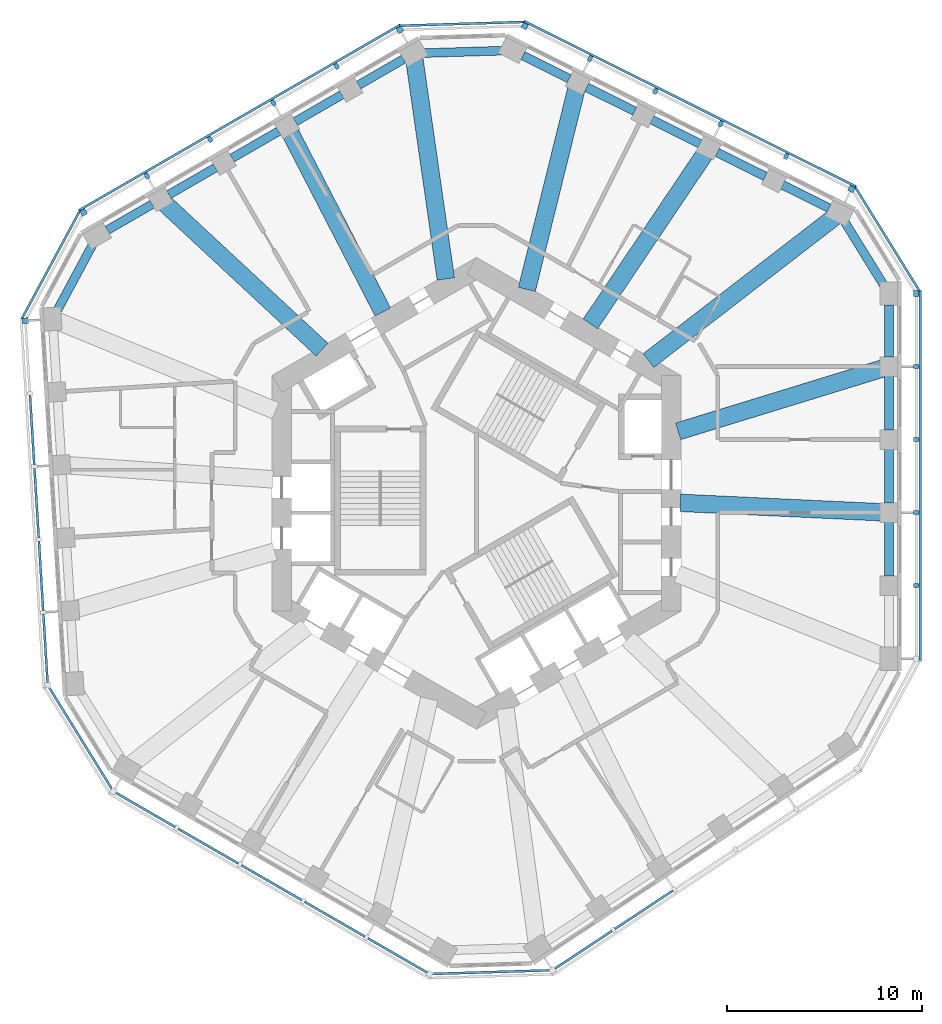
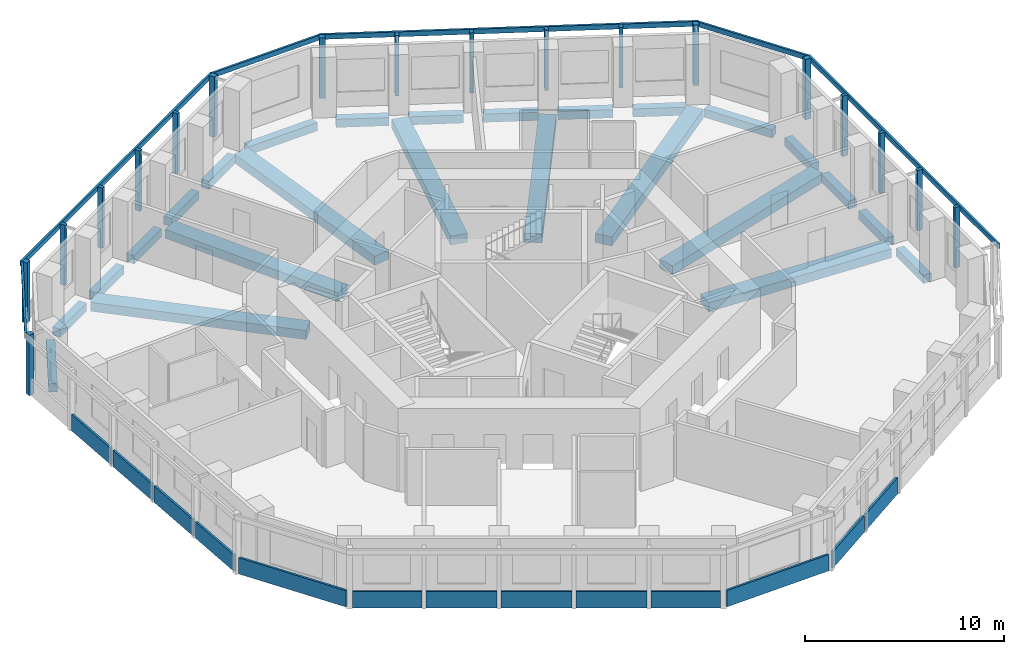
# One storey, part 2 of 10: 25 beams, 24 members, 13 plates, 11 elements without a shape of their own.
"""IFC4 building model written with IfcOpenShell, lengths in metres."""

from ifc_helpers import new_model, si_unit, direction, frame, origin, origin_2d, place, context, subcontext, project, spatial, rectangle, extrude, material, layer, layer_set, material_profile, profile_set, type_object, element, aggregate, save


model = new_model("IFC4")

# Units and contexts
model_context = context("Model", 3, precision=1e-05, world=origin(), true_north=direction((0.0, 1.0)))
body_context = subcontext(model_context, "Body", "Model", "MODEL_VIEW")
ifc_project = project(units=[si_unit("LENGTHUNIT", "METRE"), si_unit("AREAUNIT", "SQUARE_METRE"), si_unit("VOLUMEUNIT", "CUBIC_METRE"), si_unit("PLANEANGLEUNIT", "RADIAN"), si_unit("MASSUNIT", "GRAM", prefix="KILO")], contexts=[model_context])

# Site, building, storey
site_placement = place(None, origin())
site = spatial("IfcSite", under=ifc_project, at=site_placement, CompositionType="ELEMENT")
building_placement = place(site_placement, origin())
building = spatial("IfcBuilding", under=site, at=building_placement, Name="Vanh Sen Convention Tower", CompositionType="ELEMENT")
storey_placement = place(building_placement, frame((0.0, 0.0, 165.10009765625)))
storey = spatial("IfcBuildingStorey", under=building, at=storey_placement, Name="L40", CompositionType="ELEMENT", Elevation=165.10009765625)

# Curtain wall, member
ifc_material_1 = material(Name="Concrete C50/60", Category="concrete")
curtain_wall_type = type_object("IfcCurtainWallType", Name="Outer skin office zone", PredefinedType="NOTDEFINED", material=ifc_material_1)
curtain_wall_1_placement = place(storey_placement, origin())
curtain_wall_1 = element("IfcCurtainWall", 1, at=curtain_wall_1_placement, inside=storey, type_object=curtain_wall_type, Name="OUTER SKIN E L40", PredefinedType="NOTDEFINED")
ifc_material_profile_1 = material_profile(ifc_material_1, rectangle(XDim=0.300048828125, YDim=0.300048828125, at=origin_2d()), Name="Outer skin precast corner fin 300 x 300")
ifc_profile_set_1 = profile_set([ifc_material_profile_1], Name="Concrete C50/60")
member_type_1 = type_object("IfcMemberType", Name="Outer skin precast corner fin 300 x 300", PredefinedType="MULLION", material=ifc_profile_set_1)
member_1_placement = place(storey_placement, frame((22.60009765625, 10.26953125, 0.0), z_axis=(0.0, 0.0, 1.0), x_axis=(0.0, 1.0, 0.0)))
member_1 = element("IfcMember", 2, at=member_1_placement, type_object=member_type_1, Name="OUTER SKIN CORNER FIN 6 E L40", PredefinedType="MULLION", context=body_context, shape_type="SweptSolid", body=[
    extrude(rectangle(XDim=0.300048828125, YDim=0.300048828125, at=origin_2d()), origin(), (0.0, 0.0, 1.0), 3.699951171875),
])

# Curtain wall, members
curtain_wall_2_placement = place(storey_placement, origin())
curtain_wall_2 = element("IfcCurtainWall", 3, at=curtain_wall_2_placement, inside=storey, type_object=curtain_wall_type, Name="OUTER SKIN NE L40", PredefinedType="NOTDEFINED")
member_2_placement = place(storey_placement, frame((19.274658203125, 15.643310546875, 0.0), z_axis=(0.0, 0.0, 1.0), x_axis=(-0.894934361602, 0.44619781311, 0.0)))
member_2 = element("IfcMember", 4, at=member_2_placement, type_object=member_type_1, Name="OUTER SKIN CORNER FIN 1 NE L40", PredefinedType="MULLION", context=body_context, shape_type="SweptSolid", body=[
    extrude(rectangle(XDim=0.300048828125, YDim=0.300048828125, at=origin_2d()), origin(), (0.0, 0.0, 1.0), 3.699951171875),
])
member_3_placement = place(storey_placement, frame((2.476318359375, 24.0185546875, 0.0), z_axis=(0.0, 0.0, 1.0), x_axis=(-0.894934361602, 0.44619781311, 0.0)))
member_3 = element("IfcMember", 5, at=member_3_placement, type_object=member_type_1, Name="OUTER SKIN CORNER FIN 6 NE L40", PredefinedType="MULLION", context=body_context, shape_type="SweptSolid", body=[
    extrude(rectangle(XDim=0.300048828125, YDim=0.300048828125, at=origin_2d()), origin(), (0.0, 0.0, 1.0), 3.699951171875),
])

curtain_wall_3_placement = place(storey_placement, origin())
curtain_wall_3 = element("IfcCurtainWall", 6, at=curtain_wall_3_placement, inside=storey, type_object=curtain_wall_type, Name="OUTER SKIN NW L40", PredefinedType="NOTDEFINED")
member_4_placement = place(storey_placement, frame((-3.93798828125, 23.822509765625, 0.0), z_axis=(0.0, 0.0, 1.0), x_axis=(-0.866025403784, -0.5, 0.0)))
member_4 = element("IfcMember", 7, at=member_4_placement, type_object=member_type_1, Name="OUTER SKIN CORNER FIN 1 NW L40", PredefinedType="MULLION", context=body_context, shape_type="SweptSolid", body=[
    extrude(rectangle(XDim=0.300048828125, YDim=0.300048828125, at=origin_2d()), origin(), (0.0, 0.0, 1.0), 3.699951171875),
])
member_5_placement = place(storey_placement, frame((-20.193603515625, 14.4375, 0.0), z_axis=(0.0, 0.0, 1.0), x_axis=(-0.866025403784, -0.5, 0.0)))
member_5 = element("IfcMember", 8, at=member_5_placement, type_object=member_type_1, Name="OUTER SKIN CORNER FIN 6 NW L40", PredefinedType="MULLION", context=body_context, shape_type="SweptSolid", body=[
    extrude(rectangle(XDim=0.300048828125, YDim=0.300048828125, at=origin_2d()), origin(), (0.0, 0.0, 1.0), 3.699951171875),
])

# Curtain wall, member
curtain_wall_4_placement = place(storey_placement, origin())
curtain_wall_4 = element("IfcCurtainWall", 9, at=curtain_wall_4_placement, inside=storey, type_object=curtain_wall_type, Name="OUTER SKIN W L40", PredefinedType="NOTDEFINED")
member_6_placement = place(storey_placement, frame((-23.184814453125, 8.87060546875, 0.0), z_axis=(0.0, 0.0, 1.0), x_axis=(0.061048539535, -0.998134798422, 0.0)))
member_6 = element("IfcMember", 10, at=member_6_placement, type_object=member_type_1, Name="OUTER SKIN CORNER FIN 1 W L40", PredefinedType="MULLION", context=body_context, shape_type="SweptSolid", body=[
    extrude(rectangle(XDim=0.300048828125, YDim=0.300048828125, at=origin_2d()), origin(), (0.0, 0.0, 1.0), 3.699951171875),
])

# Member
ifc_material_profile_2 = material_profile(ifc_material_1, rectangle(XDim=0.199951171875, YDim=0.300048828125, at=origin_2d()), Name="Outer skin precast fin 200 x 300")
ifc_profile_set_2 = profile_set([ifc_material_profile_2], Name="Concrete C50/60")
member_type_2 = type_object("IfcMemberType", Name="Outer skin precast fin 200 x 300", PredefinedType="MULLION", material=ifc_profile_set_2)
member_7_placement = place(storey_placement, frame((22.60009765625, -4.746826171875, 0.0), z_axis=(0.0, 0.0, 1.0), x_axis=(0.0, 1.0, 0.0)))
member_7 = element("IfcMember", 11, at=member_7_placement, type_object=member_type_2, Name="OUTER SKIN fin 2 E L40", PredefinedType="MULLION", context=body_context, shape_type="SweptSolid", body=[
    extrude(rectangle(XDim=0.199951171875, YDim=0.300048828125, at=origin_2d()), origin(), (0.0, 0.0, 1.0), 3.699951171875),
])

member_8_placement = place(storey_placement, frame((22.60009765625, -0.992919921875, 0.0), z_axis=(0.0, 0.0, 1.0), x_axis=(0.0, 1.0, 0.0)))
member_8 = element("IfcMember", 12, at=member_8_placement, type_object=member_type_2, Name="OUTER SKIN fin 3 E L40", PredefinedType="MULLION", context=body_context, shape_type="SweptSolid", body=[
    extrude(rectangle(XDim=0.199951171875, YDim=0.300048828125, at=origin_2d()), origin(), (0.0, 0.0, 1.0), 3.699951171875),
])

member_9_placement = place(storey_placement, frame((22.60009765625, 2.76123046875, 0.0), z_axis=(0.0, 0.0, 1.0), x_axis=(0.0, 1.0, 0.0)))
member_9 = element("IfcMember", 13, at=member_9_placement, type_object=member_type_2, Name="OUTER SKIN fin 4 E L40", PredefinedType="MULLION", context=body_context, shape_type="SweptSolid", body=[
    extrude(rectangle(XDim=0.199951171875, YDim=0.300048828125, at=origin_2d()), origin(), (0.0, 0.0, 1.0), 3.699951171875),
])

member_10_placement = place(storey_placement, frame((22.60009765625, 6.515380859375, 0.0), z_axis=(0.0, 0.0, 1.0), x_axis=(0.0, 1.0, 0.0)))
member_10 = element("IfcMember", 14, at=member_10_placement, type_object=member_type_2, Name="OUTER SKIN fin 5 E L40", PredefinedType="MULLION", context=body_context, shape_type="SweptSolid", body=[
    extrude(rectangle(XDim=0.199951171875, YDim=0.300048828125, at=origin_2d()), origin(), (0.0, 0.0, 1.0), 3.699951171875),
])

member_11_placement = place(storey_placement, frame((15.9150390625, 17.318359375, 0.0), z_axis=(0.0, 0.0, 1.0), x_axis=(-0.894934361602, 0.44619781311, 0.0)))
member_11 = element("IfcMember", 15, at=member_11_placement, type_object=member_type_2, Name="OUTER SKIN fin 2 NE L40", PredefinedType="MULLION", context=body_context, shape_type="SweptSolid", body=[
    extrude(rectangle(XDim=0.199951171875, YDim=0.300048828125, at=origin_2d()), origin(), (0.0, 0.0, 1.0), 3.699951171875),
])

member_12_placement = place(storey_placement, frame((12.555419921875, 18.993408203125, 0.0), z_axis=(0.0, 0.0, 1.0), x_axis=(-0.894934361602, 0.44619781311, 0.0)))
member_12 = element("IfcMember", 16, at=member_12_placement, type_object=member_type_2, Name="OUTER SKIN fin 3 NE L40", PredefinedType="MULLION", context=body_context, shape_type="SweptSolid", body=[
    extrude(rectangle(XDim=0.199951171875, YDim=0.300048828125, at=origin_2d()), origin(), (0.0, 0.0, 1.0), 3.699951171875),
])

member_13_placement = place(storey_placement, frame((9.195556640625, 20.66845703125, 0.0), z_axis=(0.0, 0.0, 1.0), x_axis=(-0.894934361602, 0.44619781311, 0.0)))
member_13 = element("IfcMember", 17, at=member_13_placement, type_object=member_type_2, Name="OUTER SKIN fin 4 NE L40", PredefinedType="MULLION", context=body_context, shape_type="SweptSolid", body=[
    extrude(rectangle(XDim=0.199951171875, YDim=0.300048828125, at=origin_2d()), origin(), (0.0, 0.0, 1.0), 3.699951171875),
])

member_14_placement = place(storey_placement, frame((5.8359375, 22.343505859375, 0.0), z_axis=(0.0, 0.0, 1.0), x_axis=(-0.894934361602, 0.44619781311, 0.0)))
member_14 = element("IfcMember", 18, at=member_14_placement, type_object=member_type_2, Name="OUTER SKIN fin 5 NE L40", PredefinedType="MULLION", context=body_context, shape_type="SweptSolid", body=[
    extrude(rectangle(XDim=0.199951171875, YDim=0.300048828125, at=origin_2d()), origin(), (0.0, 0.0, 1.0), 3.699951171875),
])

member_15_placement = place(storey_placement, frame((-7.189208984375, 21.945556640625, 0.0), z_axis=(0.0, 0.0, 1.0), x_axis=(-0.866025403784, -0.5, 0.0)))
member_15 = element("IfcMember", 19, at=member_15_placement, type_object=member_type_2, Name="OUTER SKIN fin 2 NW L40", PredefinedType="MULLION", context=body_context, shape_type="SweptSolid", body=[
    extrude(rectangle(XDim=0.199951171875, YDim=0.300048828125, at=origin_2d()), origin(), (0.0, 0.0, 1.0), 3.699951171875),
])

member_16_placement = place(storey_placement, frame((-10.440185546875, 20.068603515625, 0.0), z_axis=(0.0, 0.0, 1.0), x_axis=(-0.866025403784, -0.5, 0.0)))
member_16 = element("IfcMember", 20, at=member_16_placement, type_object=member_type_2, Name="OUTER SKIN fin 3 NW L40", PredefinedType="MULLION", context=body_context, shape_type="SweptSolid", body=[
    extrude(rectangle(XDim=0.199951171875, YDim=0.300048828125, at=origin_2d()), origin(), (0.0, 0.0, 1.0), 3.699951171875),
])

member_17_placement = place(storey_placement, frame((-13.69140625, 18.19140625, 0.0), z_axis=(0.0, 0.0, 1.0), x_axis=(-0.866025403784, -0.5, 0.0)))
member_17 = element("IfcMember", 21, at=member_17_placement, type_object=member_type_2, Name="OUTER SKIN fin 4 NW L40", PredefinedType="MULLION", context=body_context, shape_type="SweptSolid", body=[
    extrude(rectangle(XDim=0.199951171875, YDim=0.300048828125, at=origin_2d()), origin(), (0.0, 0.0, 1.0), 3.699951171875),
])

member_18_placement = place(storey_placement, frame((-16.9423828125, 16.314453125, 0.0), z_axis=(0.0, 0.0, 1.0), x_axis=(-0.866025403784, -0.5, 0.0)))
member_18 = element("IfcMember", 22, at=member_18_placement, type_object=member_type_2, Name="OUTER SKIN fin 5 NW L40", PredefinedType="MULLION", context=body_context, shape_type="SweptSolid", body=[
    extrude(rectangle(XDim=0.199951171875, YDim=0.300048828125, at=origin_2d()), origin(), (0.0, 0.0, 1.0), 3.699951171875),
])

ifc_material_profile_3 = material_profile(ifc_material_1, rectangle(XDim=0.1201171875, YDim=0.300048828125, at=origin_2d()), Name="Outer skin precast spandrel band 300 x 120")
ifc_profile_set_3 = profile_set([ifc_material_profile_3], Name="Concrete C50/60")
member_type_3 = type_object("IfcMemberType", Name="Outer skin precast spandrel band 300 x 120", PredefinedType="USERDEFINED", material=ifc_profile_set_3)
member_19_placement = place(storey_placement, frame((22.81005859375, -8.65087890625, 3.5498046875), z_axis=(0.0, 1.0, 0.0), x_axis=(-1.0, 0.0, 0.0)))
member_19 = element("IfcMember", 23, at=member_19_placement, type_object=member_type_3, Name="OUTER SKIN spandrel band E L40", ObjectType="TRANSOM", PredefinedType="USERDEFINED", context=body_context, shape_type="SweptSolid", body=[
    extrude(rectangle(XDim=0.1201171875, YDim=0.300048828125, at=origin_2d()), origin(), (0.0, 0.0, 1.0), 19.0703125),
])

aggregate(curtain_wall_1, [member_7, member_8, member_9, member_10, member_1, member_19])

# Curtain wall, member
curtain_wall_5_placement = place(storey_placement, origin())
curtain_wall_5 = element("IfcCurtainWall", 24, at=curtain_wall_5_placement, inside=storey, type_object=curtain_wall_type, Name="OUTER SKIN CH1 L40", PredefinedType="NOTDEFINED")
member_20_placement = place(storey_placement, frame((22.778564453125, 10.3798828125, 3.5498046875), z_axis=(-0.526173726926, 0.850377098171, 0.0), x_axis=(-0.850377098171, -0.526173726926, 0.0)))
member_20 = element("IfcMember", 25, at=member_20_placement, type_object=member_type_3, Name="OUTER SKIN spandrel band CH1 L40", ObjectType="TRANSOM", PredefinedType="USERDEFINED", context=body_context, shape_type="SweptSolid", body=[
    extrude(rectangle(XDim=0.1201171875, YDim=0.300048828125, at=origin_2d()), origin(), (0.0, 0.0, 1.0), 6.319580078125),
])
aggregate(curtain_wall_5, [member_20])

# Member
member_21_placement = place(storey_placement, frame((19.502685546875, 15.764404296875, 3.5498046875), z_axis=(-0.894941234474, 0.446184027996, 0.0), x_axis=(-0.446184027996, -0.894941234474, 0.0)))
member_21 = element("IfcMember", 26, at=member_21_placement, type_object=member_type_3, Name="OUTER SKIN spandrel band NE L40", ObjectType="TRANSOM", PredefinedType="USERDEFINED", context=body_context, shape_type="SweptSolid", body=[
    extrude(rectangle(XDim=0.1201171875, YDim=0.300048828125, at=origin_2d()), origin(), (0.0, 0.0, 1.0), 19.07080078125),
])

aggregate(curtain_wall_2, [member_2, member_11, member_12, member_13, member_14, member_3, member_21])

# Curtain wall, member
curtain_wall_6_placement = place(storey_placement, origin())
curtain_wall_6 = element("IfcCurtainWall", 27, at=curtain_wall_6_placement, inside=storey, type_object=curtain_wall_type, Name="OUTER SKIN CH2 L40", PredefinedType="NOTDEFINED")
member_22_placement = place(storey_placement, frame((2.4697265625, 24.228515625, 3.5498046875), z_axis=(-0.999533221695, -0.030550592913, 0.0), x_axis=(0.030550592913, -0.999533221695, 0.0)))
member_22 = element("IfcMember", 28, at=member_22_placement, type_object=member_type_3, Name="OUTER SKIN spandrel band CH2 L40", ObjectType="TRANSOM", PredefinedType="USERDEFINED", context=body_context, shape_type="SweptSolid", body=[
    extrude(rectangle(XDim=0.1201171875, YDim=0.300048828125, at=origin_2d()), origin(), (0.0, 0.0, 1.0), 6.4169921875),
])
aggregate(curtain_wall_6, [member_22])

# Member
member_23_placement = place(storey_placement, frame((-3.9130859375, 24.07958984375, 3.5498046875), z_axis=(-0.866023136587, -0.500003926881, 0.0), x_axis=(0.500003926881, -0.866023136587, 0.0)))
member_23 = element("IfcMember", 29, at=member_23_placement, type_object=member_type_3, Name="OUTER SKIN spandrel band NW L40", ObjectType="TRANSOM", PredefinedType="USERDEFINED", context=body_context, shape_type="SweptSolid", body=[
    extrude(rectangle(XDim=0.1201171875, YDim=0.300048828125, at=origin_2d()), origin(), (0.0, 0.0, 1.0), 19.070556640625),
])

aggregate(curtain_wall_3, [member_4, member_15, member_16, member_17, member_18, member_5, member_23])

# Curtain wall, member
curtain_wall_7_placement = place(storey_placement, origin())
curtain_wall_7 = element("IfcCurtainWall", 30, at=curtain_wall_7_placement, inside=storey, type_object=curtain_wall_type, Name="OUTER SKIN CH3 L40", PredefinedType="NOTDEFINED")
member_24_placement = place(storey_placement, frame((-20.378662109375, 14.536865234375, 3.5498046875), z_axis=(-0.47333707755, -0.880881383057, 0.0), x_axis=(0.880881383057, -0.47333707755, 0.0)))
member_24 = element("IfcMember", 31, at=member_24_placement, type_object=member_type_3, Name="OUTER SKIN spandrel band CH3 L40", ObjectType="TRANSOM", PredefinedType="USERDEFINED", context=body_context, shape_type="SweptSolid", body=[
    extrude(rectangle(XDim=0.1201171875, YDim=0.300048828125, at=origin_2d()), origin(), (0.0, 0.0, 1.0), 6.3193359375),
])
aggregate(curtain_wall_7, [member_24])

# Beams
ifc_material_2 = material(Name="Concrete C50/60", Category="concrete")
ifc_material_profile_4 = material_profile(ifc_material_2, rectangle(XDim=0.89990234375, YDim=0.550048828125, at=origin_2d()), Name="RC 900X550")
ifc_profile_set_4 = profile_set([ifc_material_profile_4], Name="Concrete C50/60")
beam_type_1 = type_object("IfcBeamType", Name="Radial floor beam 900 x 550", PredefinedType="BEAM", material=ifc_profile_set_4)
beam_1_placement = place(storey_placement, frame((20.77587890625, -0.972900390625, -0.55517578125), z_axis=(-0.998905318596, 0.046777820399, 0.0), x_axis=(-0.046777820399, -0.998905318596, 0.0)))
element("IfcBeam", 32, at=beam_1_placement, inside=storey, type_object=beam_type_1, Name="Radial beam 02 L40", PredefinedType="BEAM", context=body_context, shape_type="SweptSolid", body=[
    extrude(rectangle(XDim=0.89990234375, YDim=0.550048828125, at=origin_2d()), origin(), (0.0, 0.0, 1.0), 10.31298828125),
])
beam_2_placement = place(storey_placement, frame((20.9775390625, 6.447021484375, -0.55517578125), z_axis=(-0.955874982074, -0.29377375418, 0.0), x_axis=(0.29377375418, -0.955874982074, 0.0)))
element("IfcBeam", 33, at=beam_2_placement, inside=storey, type_object=beam_type_1, Name="Radial beam 03 L40", PredefinedType="BEAM", context=body_context, shape_type="SweptSolid", body=[
    extrude(rectangle(XDim=0.89990234375, YDim=0.550048828125, at=origin_2d()), origin(), (0.0, 0.0, 1.0), 11.1044921875),
])
beam_3_placement = place(storey_placement, frame((18.4306640625, 14.22119140625, -0.55517578125), z_axis=(-0.791711533114, -0.610895120568, 0.0), x_axis=(0.610895120568, -0.791711533114, 0.0)))
element("IfcBeam", 34, at=beam_3_placement, inside=storey, type_object=beam_type_1, Name="Radial beam 04 L40", PredefinedType="BEAM", context=body_context, shape_type="SweptSolid", body=[
    extrude(rectangle(XDim=0.89990234375, YDim=0.550048828125, at=origin_2d()), origin(), (0.0, 0.0, 1.0), 12.11669921875),
])
beam_4_placement = place(storey_placement, frame((11.712890625, 17.416748046875, -0.55517578125), z_axis=(-0.558049212229, -0.829807855308, 0.0), x_axis=(0.829807855308, -0.558049212229, 0.0)))
element("IfcBeam", 35, at=beam_4_placement, inside=storey, type_object=beam_type_1, Name="Radial beam 05 L40", PredefinedType="BEAM", context=body_context, shape_type="SweptSolid", body=[
    extrude(rectangle(XDim=0.89990234375, YDim=0.550048828125, at=origin_2d()), origin(), (0.0, 0.0, 1.0), 10.500244140625),
])
beam_5_placement = place(storey_placement, frame((5.1455078125, 20.824951171875, -0.55517578125), z_axis=(-0.239866381143, -0.970805912218, 0.0), x_axis=(0.970805912218, -0.239866381143, 0.0)))
element("IfcBeam", 36, at=beam_5_placement, inside=storey, type_object=beam_type_1, Name="Radial beam 06 L40", PredefinedType="BEAM", context=body_context, shape_type="SweptSolid", body=[
    extrude(rectangle(XDim=0.89990234375, YDim=0.550048828125, at=origin_2d()), origin(), (0.0, 0.0, 1.0), 10.656494140625),
])
beam_6_placement = place(storey_placement, frame((-3.195556640625, 22.31396484375, -0.55517578125), z_axis=(0.141765709165, -0.989900239269, 0.0), x_axis=(0.989900239269, 0.141765709165, 0.0)))
element("IfcBeam", 37, at=beam_6_placement, inside=storey, type_object=beam_type_1, Name="Radial beam 07 L40", PredefinedType="BEAM", context=body_context, shape_type="SweptSolid", body=[
    extrude(rectangle(XDim=0.89990234375, YDim=0.550048828125, at=origin_2d()), origin(), (0.0, 0.0, 1.0), 11.414306640625),
])
beam_7_placement = place(storey_placement, frame((-9.54541015625, 18.47900390625, -0.55517578125), z_axis=(0.458935346364, -0.888469666257, 0.0), x_axis=(0.888469666257, 0.458935346364, 0.0)))
element("IfcBeam", 38, at=beam_7_placement, inside=storey, type_object=beam_type_1, Name="Radial beam 08 L40", PredefinedType="BEAM", context=body_context, shape_type="SweptSolid", body=[
    extrude(rectangle(XDim=0.89990234375, YDim=0.550048828125, at=origin_2d()), origin(), (0.0, 0.0, 1.0), 10.313232421875),
])
beam_8_placement = place(storey_placement, frame((-16.072021484375, 14.943603515625, -0.55517578125), z_axis=(0.732340727094, -0.680938366843, 0.0), x_axis=(0.680938366843, 0.732340727094, 0.0)))
element("IfcBeam", 39, at=beam_8_placement, inside=storey, type_object=beam_type_1, Name="Radial beam 09 L40", PredefinedType="BEAM", context=body_context, shape_type="SweptSolid", body=[
    extrude(rectangle(XDim=0.89990234375, YDim=0.550048828125, at=origin_2d()), origin(), (0.0, 0.0, 1.0), 11.1044921875),
])
ifc_material_profile_5 = material_profile(ifc_material_2, rectangle(XDim=0.449951171875, YDim=0.5, at=origin_2d()), Name="RC 450X500")
ifc_profile_set_5 = profile_set([ifc_material_profile_5], Name="Concrete C50/60")
beam_type_2 = type_object("IfcBeamType", Name="Spandrel beam 450 x 500", PredefinedType="SPANDREL", material=ifc_profile_set_5)
for number, where, z_axis, x_axis, name in (
    (40, (21.199951171875, -4.251953125, -0.530029296875), (0.0, 1.0, 0.0), (-1.0, 0.0, 0.0), "Spandrel beam 02 L40"),
    (41, (21.199951171875, -0.497802734375, -0.530029296875), (0.0, 1.0, 0.0), (-1.0, 0.0, 0.0), "Spandrel beam 03 L40"),
    (42, (21.199951171875, 3.25634765625, -0.530029296875), (0.0, 1.0, 0.0), (-1.0, 0.0, 0.0), "Spandrel beam 04 L40"),
):
    element("IfcBeam", number, at=place(storey_placement, frame(where, z_axis=z_axis, x_axis=x_axis)), inside=storey, type_object=beam_type_2, Name=name, PredefinedType="SPANDREL", context=body_context, shape_type="SweptSolid", body=[
        extrude(rectangle(XDim=0.449951171875, YDim=0.5, at=origin_2d()), origin(), (0.0, 0.0, 1.0), 2.76416015625),
    ])
beam_9_placement = place(storey_placement, frame((21.199951171875, 7.010498046875, -0.530029296875), z_axis=(0.0, 1.0, 0.0), x_axis=(-1.0, 0.0, 0.0)))
element("IfcBeam", 43, at=beam_9_placement, inside=storey, type_object=beam_type_2, Name="Spandrel beam 05 L40", PredefinedType="SPANDREL", context=body_context, shape_type="SweptSolid", body=[
    extrude(rectangle(XDim=0.449951171875, YDim=0.5, at=origin_2d()), origin(), (0.0, 0.0, 1.0), 2.6640625),
])
beam_10_placement = place(storey_placement, frame((20.944091796875, 10.683349609375, -0.530029296875), z_axis=(-0.526220063476, 0.850348425526, 0.0), x_axis=(-0.850348425526, -0.526220063476, 0.0)))
element("IfcBeam", 44, at=beam_10_placement, inside=storey, type_object=beam_type_2, Name="Spandrel beam 06 L40", PredefinedType="SPANDREL", context=body_context, shape_type="SweptSolid", body=[
    extrude(rectangle(XDim=0.449951171875, YDim=0.5, at=origin_2d()), origin(), (0.0, 0.0, 1.0), 3.873046875),
])
beam_11_placement = place(storey_placement, frame((18.117431640625, 14.656005859375, -0.530029296875), z_axis=(-0.894958126718, 0.446150144482, 0.0), x_axis=(-0.446150144482, -0.894958126718, 0.0)))
element("IfcBeam", 45, at=beam_11_placement, inside=storey, type_object=beam_type_2, Name="Spandrel beam 07 L40", PredefinedType="SPANDREL", context=body_context, shape_type="SweptSolid", body=[
    extrude(rectangle(XDim=0.449951171875, YDim=0.5, at=origin_2d()), origin(), (0.0, 0.0, 1.0), 2.663818359375),
])
beam_12_placement = place(storey_placement, frame((14.847412109375, 16.286376953125, -0.530029296875), z_axis=(-0.894974121341, 0.446118058511, 0.0), x_axis=(-0.446118058511, -0.894974121341, 0.0)))
element("IfcBeam", 46, at=beam_12_placement, inside=storey, type_object=beam_type_2, Name="Spandrel beam 08 L40", PredefinedType="SPANDREL", context=body_context, shape_type="SweptSolid", body=[
    extrude(rectangle(XDim=0.449951171875, YDim=0.5, at=origin_2d()), origin(), (0.0, 0.0, 1.0), 2.76416015625),
])
beam_13_placement = place(storey_placement, frame((11.487548828125, 17.96142578125, -0.530029296875), z_axis=(-0.894956541152, 0.446153325045, 0.0), x_axis=(-0.446153325045, -0.894956541152, 0.0)))
element("IfcBeam", 47, at=beam_13_placement, inside=storey, type_object=beam_type_2, Name="Spandrel beam 09 L40", PredefinedType="SPANDREL", context=body_context, shape_type="SweptSolid", body=[
    extrude(rectangle(XDim=0.449951171875, YDim=0.5, at=origin_2d()), origin(), (0.0, 0.0, 1.0), 2.763916015625),
])
beam_14_placement = place(storey_placement, frame((8.1279296875, 19.636474609375, -0.530029296875), z_axis=(-0.89492127077, 0.446224068292, 0.0), x_axis=(-0.446224068292, -0.89492127077, 0.0)))
element("IfcBeam", 48, at=beam_14_placement, inside=storey, type_object=beam_type_2, Name="Spandrel beam 10 L40", PredefinedType="SPANDREL", context=body_context, shape_type="SweptSolid", body=[
    extrude(rectangle(XDim=0.449951171875, YDim=0.5, at=origin_2d()), origin(), (0.0, 0.0, 1.0), 2.76416015625),
])
beam_15_placement = place(storey_placement, frame((4.768310546875, 21.3115234375, -0.530029296875), z_axis=(-0.894939776695, 0.446186951948, 0.0), x_axis=(-0.446186951948, -0.894939776695, 0.0)))
element("IfcBeam", 49, at=beam_15_placement, inside=storey, type_object=beam_type_2, Name="Spandrel beam 11 L40", PredefinedType="SPANDREL", context=body_context, shape_type="SweptSolid", body=[
    extrude(rectangle(XDim=0.449951171875, YDim=0.5, at=origin_2d()), origin(), (0.0, 0.0, 1.0), 2.6640625),
])
beam_16_placement = place(storey_placement, frame((1.32470703125, 22.74951171875, -0.530029296875), z_axis=(-0.999533715833, -0.030534421783, 0.0), x_axis=(0.030534421783, -0.999533715833, 0.0)))
element("IfcBeam", 50, at=beam_16_placement, inside=storey, type_object=beam_type_2, Name="Spandrel beam 12 L40", PredefinedType="SPANDREL", context=body_context, shape_type="SweptSolid", body=[
    extrude(rectangle(XDim=0.449951171875, YDim=0.5, at=origin_2d()), origin(), (0.0, 0.0, 1.0), 4.037841796875),
])
beam_17_placement = place(storey_placement, frame((-3.753173828125, 22.312744140625, -0.530029296875), z_axis=(-0.866023818221, -0.500002746266, 0.0), x_axis=(0.500002746266, -0.866023818221, 0.0)))
element("IfcBeam", 51, at=beam_17_placement, inside=storey, type_object=beam_type_2, Name="Spandrel beam 13 L40", PredefinedType="SPANDREL", context=body_context, shape_type="SweptSolid", body=[
    extrude(rectangle(XDim=0.449951171875, YDim=0.5, at=origin_2d()), origin(), (0.0, 0.0, 1.0), 2.6640625),
])
for number, where, z_axis, x_axis, name in (
    (52, (-6.917724609375, 20.485595703125, -0.530029296875), (-0.866022320763, -0.500005339912, 0.0), (0.500005339912, -0.866022320763, 0.0), "Spandrel beam 14 L40"),
    (53, (-10.1689453125, 18.608642578125, -0.530029296875), (-0.866022320763, -0.500005339912, 0.0), (0.500005339912, -0.866022320763, 0.0), "Spandrel beam 15 L40"),
):
    element("IfcBeam", number, at=place(storey_placement, frame(where, z_axis=z_axis, x_axis=x_axis)), inside=storey, type_object=beam_type_2, Name=name, PredefinedType="SPANDREL", context=body_context, shape_type="SweptSolid", body=[
        extrude(rectangle(XDim=0.449951171875, YDim=0.5, at=origin_2d()), origin(), (0.0, 0.0, 1.0), 2.76416015625),
    ])
beam_18_placement = place(storey_placement, frame((-13.420166015625, 16.731689453125, -0.530029296875), z_axis=(-0.866000236617, -0.500043588279, 0.0), x_axis=(0.500043588279, -0.866000236617, 0.0)))
element("IfcBeam", 54, at=beam_18_placement, inside=storey, type_object=beam_type_2, Name="Spandrel beam 16 L40", PredefinedType="SPANDREL", context=body_context, shape_type="SweptSolid", body=[
    extrude(rectangle(XDim=0.449951171875, YDim=0.5, at=origin_2d()), origin(), (0.0, 0.0, 1.0), 2.763916015625),
])
beam_19_placement = place(storey_placement, frame((-16.671142578125, 14.8544921875, -0.530029296875), z_axis=(-0.866046726429, -0.499963066278, 0.0), x_axis=(0.499963066278, -0.866046726429, 0.0)))
element("IfcBeam", 55, at=beam_19_placement, inside=storey, type_object=beam_type_2, Name="Spandrel beam 17 L40", PredefinedType="SPANDREL", context=body_context, shape_type="SweptSolid", body=[
    extrude(rectangle(XDim=0.449951171875, YDim=0.5, at=origin_2d()), origin(), (0.0, 0.0, 1.0), 2.664306640625),
])
beam_20_placement = place(storey_placement, frame((-19.72412109375, 12.79638671875, -0.530029296875), z_axis=(-0.473295157781, -0.880903907144, 0.0), x_axis=(0.880903907144, -0.473295157781, 0.0)))
element("IfcBeam", 56, at=beam_20_placement, inside=storey, type_object=beam_type_2, Name="Spandrel beam 18 L40", PredefinedType="SPANDREL", context=body_context, shape_type="SweptSolid", body=[
    extrude(rectangle(XDim=0.449951171875, YDim=0.5, at=origin_2d()), origin(), (0.0, 0.0, 1.0), 3.872802734375),
])

# Plate
ifc_layer = layer(ifc_material_1, 0.1201171875)
ifc_layer_set = layer_set([ifc_layer], Name="Concrete C50/60")
plate_type = type_object("IfcPlateType", Name="Outer skin precast screen panel 120", PredefinedType="CURTAIN_PANEL", material=ifc_layer_set)
plate_1_placement = place(storey_placement, frame((-22.841064453125, 3.25, 0.0), z_axis=(0.0, 0.0, 1.0), x_axis=(0.061052023682, -0.998134585316, 0.0)))
plate_1 = element("IfcPlate", 57, at=plate_1_placement, type_object=plate_type, Name="OUTER SKIN screen panel W-2", PredefinedType="CURTAIN_PANEL", context=body_context, shape_type="SweptSolid", body=[
    extrude(rectangle(XDim=3.55419921875, YDim=0.1201171875, at=origin_2d()), origin(), (0.0, 0.0, 1.0), 1.0),
])

plate_2_placement = place(storey_placement, frame((-22.61181640625, -0.4970703125, 0.0), z_axis=(0.0, 0.0, 1.0), x_axis=(0.061053765756, -0.998134478759, 0.0)))
plate_2 = element("IfcPlate", 58, at=plate_2_placement, type_object=plate_type, Name="OUTER SKIN screen panel W-3", PredefinedType="CURTAIN_PANEL", context=body_context, shape_type="SweptSolid", body=[
    extrude(rectangle(XDim=3.55419921875, YDim=0.1201171875, at=origin_2d()), origin(), (0.0, 0.0, 1.0), 1.0),
])

plate_3_placement = place(storey_placement, frame((-22.382568359375, -4.244140625, 0.0), z_axis=(0.0, 0.0, 1.0), x_axis=(0.061025892559, -0.998136183312, 0.0)))
plate_3 = element("IfcPlate", 59, at=plate_3_placement, type_object=plate_type, Name="OUTER SKIN screen panel W-4", PredefinedType="CURTAIN_PANEL", context=body_context, shape_type="SweptSolid", body=[
    extrude(rectangle(XDim=3.55419921875, YDim=0.1201171875, at=origin_2d()), origin(), (0.0, 0.0, 1.0), 1.0),
])

plate_4_placement = place(storey_placement, frame((-22.155029296875, -7.96630859375, 0.0), z_axis=(0.0, 0.0, 1.0), x_axis=(0.061053765756, -0.998134478759, 0.0)))
plate_4 = element("IfcPlate", 60, at=plate_4_placement, type_object=plate_type, Name="OUTER SKIN screen panel W-5", PredefinedType="CURTAIN_PANEL", context=body_context, shape_type="SweptSolid", body=[
    extrude(rectangle(XDim=3.504150390625, YDim=0.1201171875, at=origin_2d()), origin(), (0.0, 0.0, 1.0), 1.0),
])

aggregate(curtain_wall_4, [member_6, plate_1, plate_2, plate_3, plate_4])

# Curtain wall, plate
curtain_wall_8_placement = place(storey_placement, origin())
curtain_wall_8 = element("IfcCurtainWall", 61, at=curtain_wall_8_placement, inside=storey, type_object=curtain_wall_type, Name="OUTER SKIN CH4 L40", PredefinedType="NOTDEFINED")
plate_5_placement = place(storey_placement, frame((-20.3505859375, -12.59326171875, 0.0), z_axis=(0.0, 0.0, 1.0), x_axis=(0.526218376078, -0.850349469734, 0.0)))
plate_5 = element("IfcPlate", 62, at=plate_5_placement, type_object=plate_type, Name="OUTER SKIN screen panel CH4-1", PredefinedType="CURTAIN_PANEL", context=body_context, shape_type="SweptSolid", body=[
    extrude(rectangle(XDim=6.1171875, YDim=0.1201171875, at=origin_2d()), origin(), (0.0, 0.0, 1.0), 1.0),
])
aggregate(curtain_wall_8, [plate_5])

# Curtain wall, plates
curtain_wall_9_placement = place(storey_placement, origin())
curtain_wall_9 = element("IfcCurtainWall", 63, at=curtain_wall_9_placement, inside=storey, type_object=curtain_wall_type, Name="OUTER SKIN SW L40", PredefinedType="NOTDEFINED")
plate_6_placement = place(storey_placement, frame((-17.014892578125, -16.272705078125, 0.0), z_axis=(0.0, 0.0, 1.0), x_axis=(0.86602365845, -0.500003022996, 0.0)))
plate_6 = element("IfcPlate", 64, at=plate_6_placement, type_object=plate_type, Name="OUTER SKIN screen panel SW-1", PredefinedType="CURTAIN_PANEL", context=body_context, shape_type="SweptSolid", body=[
    extrude(rectangle(XDim=3.504150390625, YDim=0.1201171875, at=origin_2d()), origin(), (0.0, 0.0, 1.0), 1.0),
])
plate_7_placement = place(storey_placement, frame((-13.785400390625, -18.13720703125, 0.0), z_axis=(0.0, 0.0, 1.0), x_axis=(0.866028021766, -0.499995465495, 0.0)))
plate_7 = element("IfcPlate", 65, at=plate_7_placement, type_object=plate_type, Name="OUTER SKIN screen panel SW-2", PredefinedType="CURTAIN_PANEL", context=body_context, shape_type="SweptSolid", body=[
    extrude(rectangle(XDim=3.553955078125, YDim=0.1201171875, at=origin_2d()), origin(), (0.0, 0.0, 1.0), 1.0),
])
plate_8_placement = place(storey_placement, frame((-10.5341796875, -20.014404296875, 0.0), z_axis=(0.0, 0.0, 1.0), x_axis=(0.86602365845, -0.500003022996, 0.0)))
plate_8 = element("IfcPlate", 66, at=plate_8_placement, type_object=plate_type, Name="OUTER SKIN screen panel SW-3", PredefinedType="CURTAIN_PANEL", context=body_context, shape_type="SweptSolid", body=[
    extrude(rectangle(XDim=3.55419921875, YDim=0.1201171875, at=origin_2d()), origin(), (0.0, 0.0, 1.0), 1.0),
])
plate_9_placement = place(storey_placement, frame((-7.283203125, -21.891357421875, 0.0), z_axis=(0.0, 0.0, 1.0), x_axis=(0.866016677006, -0.500015114919, 0.0)))
plate_9 = element("IfcPlate", 67, at=plate_9_placement, type_object=plate_type, Name="OUTER SKIN screen panel SW-4", PredefinedType="CURTAIN_PANEL", context=body_context, shape_type="SweptSolid", body=[
    extrude(rectangle(XDim=3.55419921875, YDim=0.1201171875, at=origin_2d()), origin(), (0.0, 0.0, 1.0), 1.0),
])
plate_10_placement = place(storey_placement, frame((-4.0537109375, -23.755859375, 0.0), z_axis=(0.0, 0.0, 1.0), x_axis=(0.866035002936, -0.499983373414, 0.0)))
plate_10 = element("IfcPlate", 68, at=plate_10_placement, type_object=plate_type, Name="OUTER SKIN screen panel SW-5", PredefinedType="CURTAIN_PANEL", context=body_context, shape_type="SweptSolid", body=[
    extrude(rectangle(XDim=3.504150390625, YDim=0.1201171875, at=origin_2d()), origin(), (0.0, 0.0, 1.0), 1.0),
])
aggregate(curtain_wall_9, [plate_6, plate_7, plate_8, plate_9, plate_10])

# Curtain wall, plate
curtain_wall_10_placement = place(storey_placement, origin())
curtain_wall_10 = element("IfcCurtainWall", 69, at=curtain_wall_10_placement, inside=storey, type_object=curtain_wall_type, Name="OUTER SKIN CH5 L40", PredefinedType="NOTDEFINED")
plate_11_placement = place(storey_placement, frame((0.751953125, -24.6103515625, 0.0), z_axis=(0.0, 0.0, 1.0), x_axis=(0.999533537535, 0.030540257725, 0.0)))
plate_11 = element("IfcPlate", 70, at=plate_11_placement, type_object=plate_type, Name="OUTER SKIN screen panel CH5-1", PredefinedType="CURTAIN_PANEL", context=body_context, shape_type="SweptSolid", body=[
    extrude(rectangle(XDim=6.019287109375, YDim=0.1201171875, at=origin_2d()), origin(), (0.0, 0.0, 1.0), 1.0),
])
aggregate(curtain_wall_10, [plate_11])

# Curtain wall, plates
curtain_wall_11_placement = place(storey_placement, origin())
curtain_wall_11 = element("IfcCurtainWall", 71, at=curtain_wall_11_placement, inside=storey, type_object=curtain_wall_type, Name="OUTER SKIN SE L40", PredefinedType="NOTDEFINED")
plate_12_placement = place(storey_placement, frame((5.49609375, -23.464111328125, 0.0), z_axis=(0.0, 0.0, 1.0), x_axis=(0.833889675294, 0.551931163677, 0.0)))
plate_12 = element("IfcPlate", 72, at=plate_12_placement, type_object=plate_type, Name="OUTER SKIN screen panel SE-1", PredefinedType="CURTAIN_PANEL", context=body_context, shape_type="SweptSolid", body=[
    extrude(rectangle(XDim=3.504150390625, YDim=0.1201171875, at=origin_2d()), origin(), (0.0, 0.0, 1.0), 1.0),
])
plate_13_placement = place(storey_placement, frame((8.60595703125, -21.406005859375, 0.0), z_axis=(0.0, 0.0, 1.0), x_axis=(0.833889675294, 0.551931163677, 0.0)))
plate_13 = element("IfcPlate", 73, at=plate_13_placement, type_object=plate_type, Name="OUTER SKIN screen panel SE-2", PredefinedType="CURTAIN_PANEL", context=body_context, shape_type="SweptSolid", body=[
    extrude(rectangle(XDim=3.55419921875, YDim=0.1201171875, at=origin_2d()), origin(), (0.0, 0.0, 1.0), 1.0),
])
aggregate(curtain_wall_11, [plate_12, plate_13])

save(model, "model.ifc")
